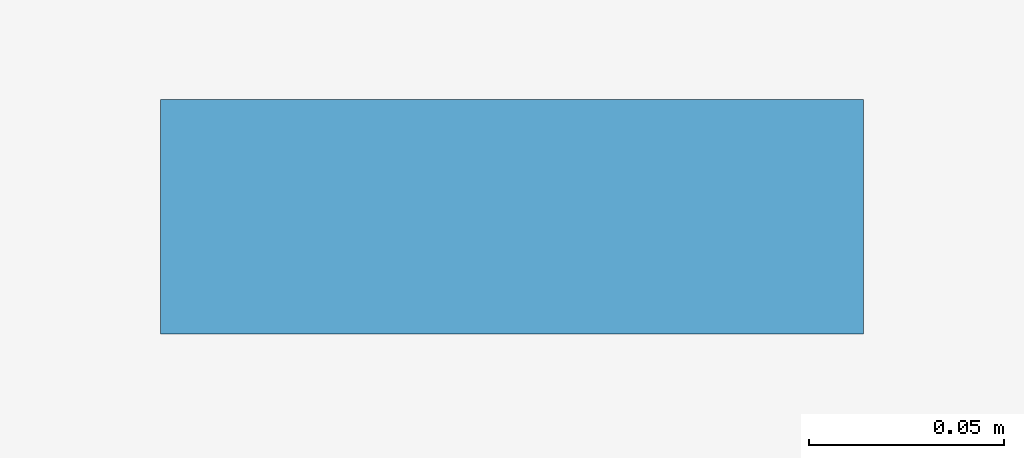
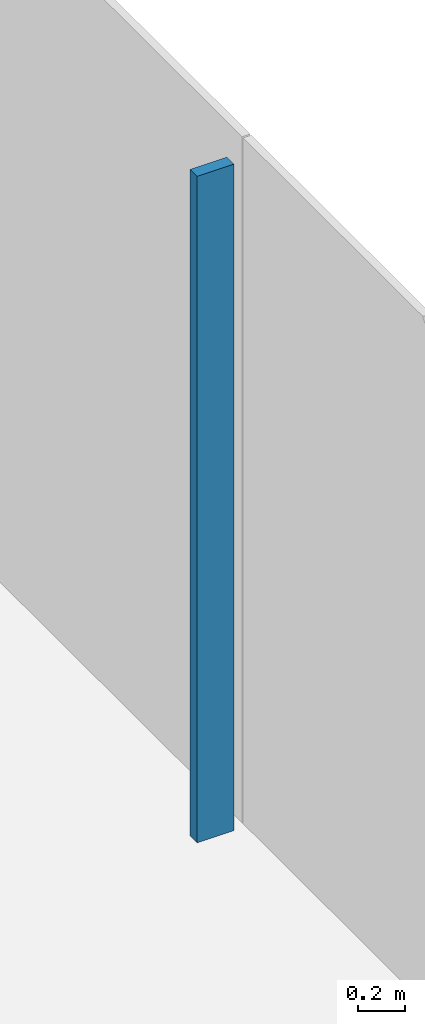
# One storey, part 9 of 22: 1 member, 1 element without a shape of its own.
"""IFC4 building model written with IfcOpenShell, lengths in metres."""

from ifc_helpers import new_model, si_unit, direction, frame, origin, origin_2d, place, context, subcontext, project, spatial, rectangle, extrude, material, layer, layer_set, material_profile, profile_set, type_object, element, aggregate, save


model = new_model("IFC4")

# Units and contexts
model_context = context("Model", 3, precision=1e-05, world=origin(), true_north=direction((0.0, 1.0)))
body_context = subcontext(model_context, "Body", "Model", "MODEL_VIEW")
ifc_project = project(units=[si_unit("LENGTHUNIT", "METRE"), si_unit("AREAUNIT", "SQUARE_METRE"), si_unit("VOLUMEUNIT", "CUBIC_METRE"), si_unit("PLANEANGLEUNIT", "RADIAN"), si_unit("MASSUNIT", "GRAM", prefix="KILO")], contexts=[model_context])

# Site, building, storey
site_placement = place(None, origin())
site = spatial("IfcSite", under=ifc_project, at=site_placement, CompositionType="ELEMENT")
building_placement = place(site_placement, origin())
building = spatial("IfcBuilding", under=site, at=building_placement, Name="Shamsa Quay Exchange Towers", CompositionType="ELEMENT")
storey_placement = place(building_placement, frame((0.0, 0.0, 73.199951171875)))
storey = spatial("IfcBuildingStorey", under=building, at=storey_placement, Name="L16", CompositionType="ELEMENT", Elevation=73.199951171875)

# Curtain wall, member
ifc_material = material(Name="Aluminium EN AW-6063 T6, black anodised", Category="aluminium")
ifc_layer = layer(ifc_material, 0.280029296875)
ifc_layer_set = layer_set([ifc_layer], Name="CW-1 UNITISED VISION GLASS")
curtain_wall_type = type_object("IfcCurtainWallType", Name="CW-1 UNITISED VISION GLASS", PredefinedType="NOTDEFINED", material=ifc_layer_set)
curtain_wall_placement = place(storey_placement, origin())
curtain_wall = element("IfcCurtainWall", 1, at=curtain_wall_placement, inside=storey, type_object=curtain_wall_type, Name="CW1 T2-END-V- L16", PredefinedType="NOTDEFINED")
ifc_material_profile = material_profile(ifc_material, rectangle(XDim=0.179931640625, YDim=0.06005859375, at=origin_2d()), Name="MU60x180")
ifc_profile_set = profile_set([ifc_material_profile], Name="Aluminium EN AW-6063 T6, black anodised")
member_type = type_object("IfcMemberType", Name="CW1 MULLION 60x180", PredefinedType="MULLION", material=ifc_profile_set)
member_placement = place(storey_placement, frame((62.85009765625, 2.25, 0.0), z_axis=(0.0, 0.0, 1.0), x_axis=(-1.0, 0.0, 0.0)))
member = element("IfcMember", 2, at=member_placement, type_object=member_type, Name="CW1 mullion", PredefinedType="MULLION", context=body_context, shape_type="SweptSolid", body=[
    extrude(rectangle(XDim=0.179931640625, YDim=0.06005859375, at=origin_2d()), origin(), (0.0, 0.0, 1.0), 3.449951171875),
])
aggregate(curtain_wall, [member])

save(model, "model.ifc")
